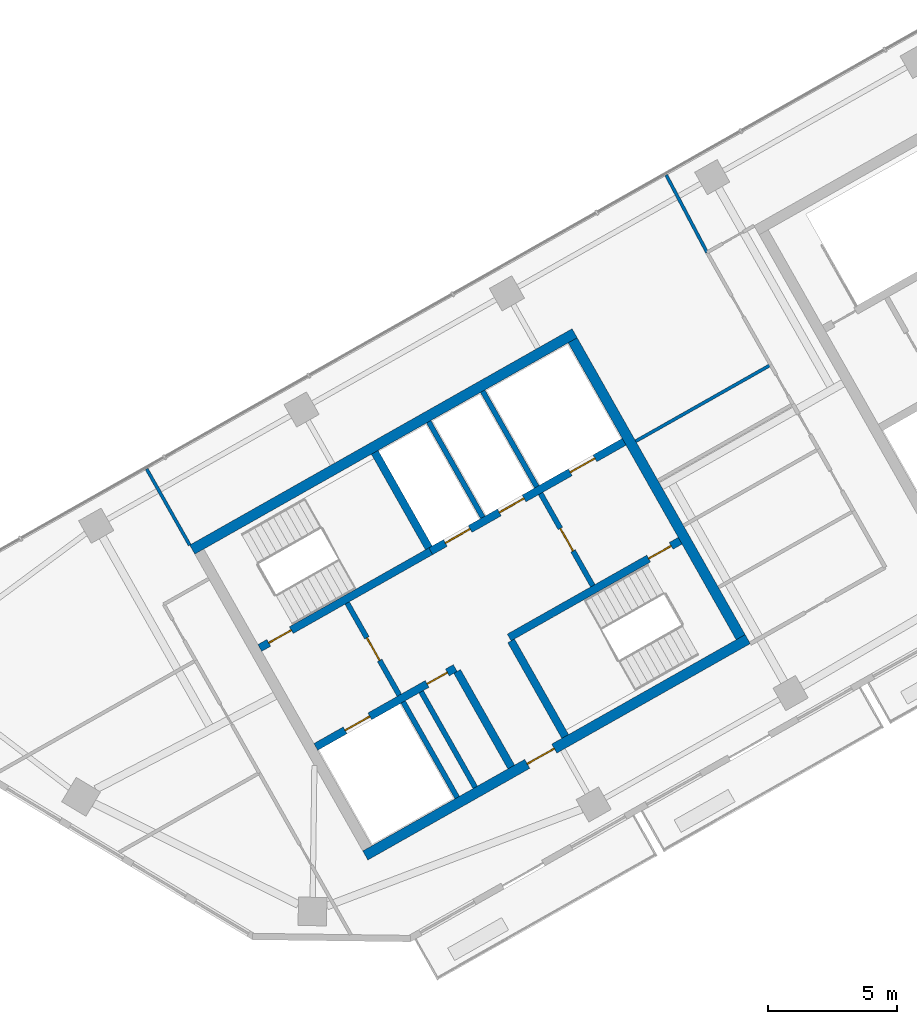
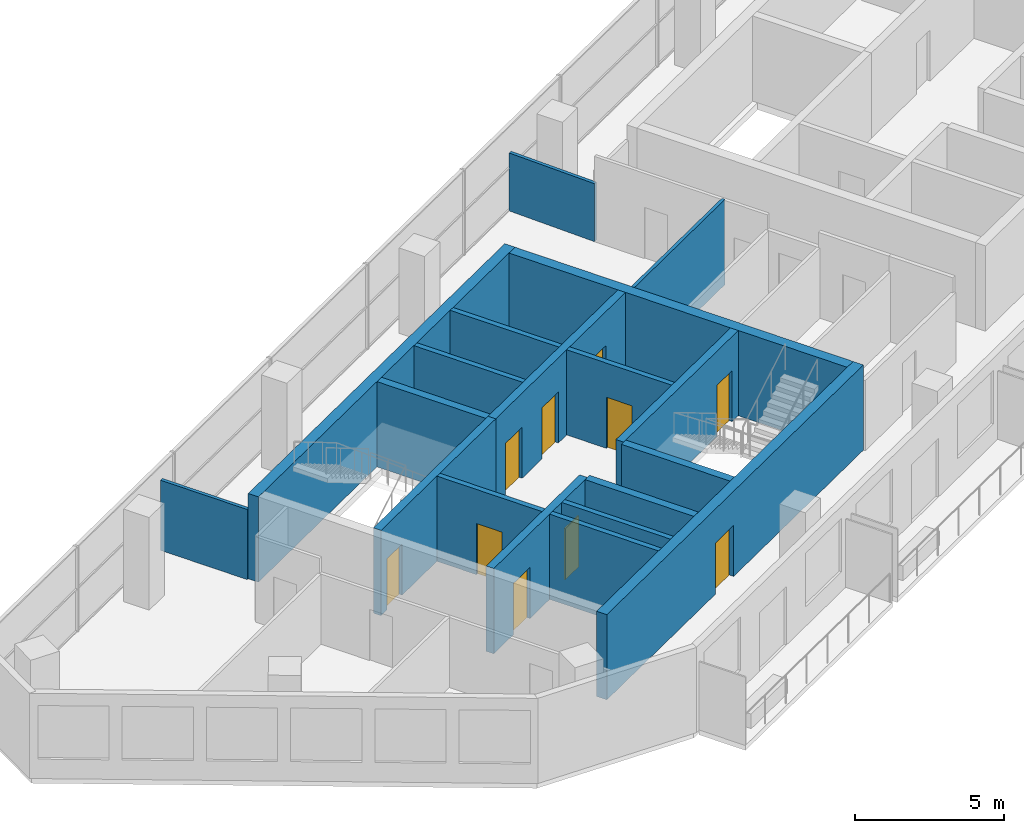
# One storey, part 6 of 10: 19 walls, 10 doors, 10 openings.
"""IFC4 building model written with IfcOpenShell, lengths in metres."""

from ifc_helpers import new_model, si_unit, direction, frame, frame_2d, origin, place, context, subcontext, project, spatial, rectangle, extrude, material, layer, layer_set, type_object, element, fill, save


model = new_model("IFC4")

# Units and contexts
model_context = context("Model", 3, precision=1e-05, world=origin(), true_north=direction((0.0, 1.0)))
body_context = subcontext(model_context, "Body", "Model", "MODEL_VIEW")
ifc_project = project(units=[si_unit("LENGTHUNIT", "METRE"), si_unit("AREAUNIT", "SQUARE_METRE"), si_unit("VOLUMEUNIT", "CUBIC_METRE"), si_unit("PLANEANGLEUNIT", "RADIAN"), si_unit("MASSUNIT", "GRAM", prefix="KILO")], contexts=[model_context])

# Site, building, storey
site_placement = place(None, origin())
site = spatial("IfcSite", under=ifc_project, at=site_placement, CompositionType="ELEMENT")
building_placement = place(site_placement, origin())
building = spatial("IfcBuilding", under=site, at=building_placement, Name="Binnacle Exchange Tower", CompositionType="ELEMENT")
storey_placement = place(building_placement, frame((0.0, 0.0, 343.10009765625)))
storey = spatial("IfcBuildingStorey", under=building, at=storey_placement, Name="L78", CompositionType="ELEMENT", Elevation=343.10009765625)

# Wall, openings, doors
ifc_material_1 = material(Name="Concrete C70/85", Category="concrete")
ifc_layer_1 = layer(ifc_material_1, 0.300048828125)
ifc_layer_set_1 = layer_set([ifc_layer_1], Name="Core wall - front 300")
wall_type_1 = type_object("IfcWallType", Name="Core wall - front 300", PredefinedType="SOLIDWALL", material=ifc_layer_set_1)
wall_1_placement = place(storey_placement, frame((-41.72998046875, 33.862548828125, 0.0), z_axis=(0.0, 0.0, 1.0), x_axis=(0.870350800578, 0.492432212525, 0.0)))
wall_1 = element("IfcWall", 1, at=wall_1_placement, inside=storey, type_object=wall_type_1, Name="Core wall CRWA2", PredefinedType="SOLIDWALL", context=body_context, shape_type="SweptSolid", body=[
    extrude(rectangle(XDim=6.19970703125, YDim=0.300048828125, at=frame_2d((3.099853515625, 0.0))), origin(), (0.0, 0.0, 1.0), 3.5),
])
opening_1_placement = place(wall_1_placement, frame((1.300048828125, 0.0, 0.0)))
opening_1 = element("IfcOpeningElement", 2, at=opening_1_placement, cuts=wall_1, Name="Opening LD12", PredefinedType="OPENING", context=body_context, shape_type="SweptSolid", body=[
    extrude(rectangle(XDim=1.10009765625, YDim=2.10009765625, at=frame_2d((0.550048828125, 1.050048828125))), frame((0.0, 0.159912109375, 0.0), z_axis=(0.0, -1.0, 0.0), x_axis=(1.0, 0.0, 0.0)), (0.0, 0.0, 1.0), 0.320068359375),
])
opening_2_placement = place(wall_1_placement, frame((4.949951171875, 0.0, 0.0)))
opening_2 = element("IfcOpeningElement", 3, at=opening_2_placement, cuts=wall_1, Name="Opening DA14", PredefinedType="OPENING", context=body_context, shape_type="SweptSolid", body=[
    extrude(rectangle(XDim=0.89990234375, YDim=2.10009765625, at=frame_2d((0.449951171875, 1.050048828125))), frame((0.0, 0.159912109375, 0.0), z_axis=(0.0, -1.0, 0.0), x_axis=(1.0, 0.0, 0.0)), (0.0, 0.0, 1.0), 0.320068359375),
])
ifc_material_2 = material(Name="Steel door leaf", Category="steel")
door_type_1 = type_object("IfcDoorType", Name="Fire door - lift landing 1100", OperationType="NOTDEFINED", PredefinedType="DOOR", material=ifc_material_2)
door_1_placement = place(opening_1_placement, origin())
door_1 = element("IfcDoor", 4, at=door_1_placement, inside=storey, type_object=door_type_1, Name="Landing door LD12 L78", OperationType="DOUBLE_DOOR_SLIDING", OverallHeight=2.10009765625, OverallWidth=1.10009765625, PredefinedType="DOOR", context=body_context, shape_type="SweptSolid", body=[
    extrude(rectangle(XDim=1.10009765625, YDim=2.10009765625, at=frame_2d((0.550048828125, 1.050048828125))), frame((0.0, 0.02490234375, 0.0), z_axis=(0.0, -1.0, 0.0), x_axis=(1.0, 0.0, 0.0)), (0.0, 0.0, 1.0), 0.050048828125),
])
fill(opening_1, door_1)
door_type_2 = type_object("IfcDoorType", Name="Fire door 900", OperationType="NOTDEFINED", PredefinedType="DOOR", material=ifc_material_2)
door_2_placement = place(opening_2_placement, frame((0.89990234375, 0.0, 0.0), z_axis=(0.0, 0.0, 1.0), x_axis=(-1.0, 0.0, 0.0)))
door_2 = element("IfcDoor", 5, at=door_2_placement, inside=storey, type_object=door_type_2, Name="Core room door CLEANERS STORE", OperationType="SINGLE_SWING_LEFT", OverallHeight=2.10009765625, OverallWidth=0.89990234375, PredefinedType="DOOR", context=body_context, shape_type="SweptSolid", body=[
    extrude(rectangle(XDim=0.89990234375, YDim=2.10009765625, at=frame_2d((0.449951171875, 1.050048828125))), frame((0.0, 0.02490234375, 0.0), z_axis=(0.0, -1.0, 0.0), x_axis=(1.0, 0.0, 0.0)), (0.0, 0.0, 1.0), 0.050048828125),
])
fill(opening_2, door_2)

wall_2_placement = place(storey_placement, frame((-37.281982421875, 41.4345703125, 0.0), z_axis=(0.0, 0.0, 1.0), x_axis=(0.870361315115, 0.492413628113, 0.0)))
wall_2 = element("IfcWall", 6, at=wall_2_placement, inside=storey, type_object=wall_type_1, Name="Core wall CRWA5", PredefinedType="SOLIDWALL", context=body_context, shape_type="SweptSolid", body=[
    extrude(rectangle(XDim=8.599609375, YDim=0.300048828125, at=frame_2d((4.2998046875, 0.0))), origin(), (0.0, 0.0, 1.0), 3.5),
])
opening_3_placement = place(wall_2_placement, frame((0.650146484375, 0.0, 0.0)))
opening_3 = element("IfcOpeningElement", 7, at=opening_3_placement, cuts=wall_2, Name="Opening LD9", PredefinedType="OPENING", context=body_context, shape_type="SweptSolid", body=[
    extrude(rectangle(XDim=1.10009765625, YDim=2.10009765625, at=frame_2d((0.550048828125, 1.050048828125))), frame((0.0, 0.159912109375, 0.0), z_axis=(0.0, -1.0, 0.0), x_axis=(1.0, 0.0, 0.0)), (0.0, 0.0, 1.0), 0.320068359375),
])
opening_4_placement = place(wall_2_placement, frame((3.050048828125, 0.0, 0.0)))
opening_4 = element("IfcOpeningElement", 8, at=opening_4_placement, cuts=wall_2, Name="Opening LD10", PredefinedType="OPENING", context=body_context, shape_type="SweptSolid", body=[
    extrude(rectangle(XDim=1.10009765625, YDim=2.10009765625, at=frame_2d((0.550048828125, 1.050048828125))), frame((0.0, 0.159912109375, 0.0), z_axis=(0.0, -1.0, 0.0), x_axis=(1.0, 0.0, 0.0)), (0.0, 0.0, 1.0), 0.320068359375),
])
opening_5_placement = place(wall_2_placement, frame((6.199951171875, 0.0, 0.0)))
opening_5 = element("IfcOpeningElement", 9, at=opening_5_placement, cuts=wall_2, Name="Opening LD13", PredefinedType="OPENING", context=body_context, shape_type="SweptSolid", body=[
    extrude(rectangle(XDim=1.10009765625, YDim=2.10009765625, at=frame_2d((0.550048828125, 1.050048828125))), frame((0.0, 0.159912109375, 0.0), z_axis=(0.0, -1.0, 0.0), x_axis=(1.0, 0.0, 0.0)), (0.0, 0.0, 1.0), 0.320068359375),
])
door_3_placement = place(opening_3_placement, origin())
door_3 = element("IfcDoor", 10, at=door_3_placement, inside=storey, type_object=door_type_1, Name="Landing door LD9 L78", OperationType="DOUBLE_DOOR_SLIDING", OverallHeight=2.10009765625, OverallWidth=1.10009765625, PredefinedType="DOOR", context=body_context, shape_type="SweptSolid", body=[
    extrude(rectangle(XDim=1.10009765625, YDim=2.10009765625, at=frame_2d((0.550048828125, 1.050048828125))), frame((0.0, 0.02490234375, 0.0), z_axis=(0.0, -1.0, 0.0), x_axis=(1.0, 0.0, 0.0)), (0.0, 0.0, 1.0), 0.050048828125),
])
fill(opening_3, door_3)
door_4_placement = place(opening_4_placement, origin())
door_4 = element("IfcDoor", 11, at=door_4_placement, inside=storey, type_object=door_type_1, Name="Landing door LD10 L78", OperationType="DOUBLE_DOOR_SLIDING", OverallHeight=2.10009765625, OverallWidth=1.10009765625, PredefinedType="DOOR", context=body_context, shape_type="SweptSolid", body=[
    extrude(rectangle(XDim=1.10009765625, YDim=2.10009765625, at=frame_2d((0.550048828125, 1.050048828125))), frame((0.0, 0.02490234375, 0.0), z_axis=(0.0, -1.0, 0.0), x_axis=(1.0, 0.0, 0.0)), (0.0, 0.0, 1.0), 0.050048828125),
])
fill(opening_4, door_4)
door_5_placement = place(opening_5_placement, origin())
door_5 = element("IfcDoor", 12, at=door_5_placement, inside=storey, type_object=door_type_1, Name="Landing door LD13 L78", OperationType="DOUBLE_DOOR_SLIDING", OverallHeight=2.10009765625, OverallWidth=1.10009765625, PredefinedType="DOOR", context=body_context, shape_type="SweptSolid", body=[
    extrude(rectangle(XDim=1.10009765625, YDim=2.10009765625, at=frame_2d((0.550048828125, 1.050048828125))), frame((0.0, 0.02490234375, 0.0), z_axis=(0.0, -1.0, 0.0), x_axis=(1.0, 0.0, 0.0)), (0.0, 0.0, 1.0), 0.050048828125),
])
fill(opening_5, door_5)

# Wall
wall_3_placement = place(storey_placement, frame((-36.260009765625, 36.784912109375, 0.0), z_axis=(0.0, 0.0, 1.0), x_axis=(0.492422543467, -0.870356271124, 0.0)))
element("IfcWall", 13, at=wall_3_placement, inside=storey, type_object=wall_type_1, Name="Core wall CRWA13", PredefinedType="SOLIDWALL", context=body_context, shape_type="SweptSolid", body=[
    extrude(rectangle(XDim=4.25, YDim=0.300048828125, at=frame_2d((2.125, 0.0))), origin(), (0.0, 0.0, 1.0), 3.5),
])

# Wall, opening, door
ifc_layer_2 = layer(ifc_material_1, 0.39990234375)
ifc_layer_set_2 = layer_set([ifc_layer_2], Name="Core wall - outer 400")
wall_type_2 = type_object("IfcWallType", Name="Core wall - outer 400", PredefinedType="SOLIDWALL", material=ifc_layer_set_2)
wall_4_placement = place(storey_placement, frame((-39.81298828125, 29.661865234375, 0.0), z_axis=(0.0, 0.0, 1.0), x_axis=(0.870350116061, 0.492433422375, 0.0)))
wall_4 = element("IfcWall", 14, at=wall_4_placement, inside=storey, type_object=wall_type_2, Name="Core wall CRWA1", PredefinedType="SOLIDWALL", context=body_context, shape_type="SweptSolid", body=[
    extrude(rectangle(XDim=17.0, YDim=0.39990234375, at=frame_2d((8.5, 0.0))), origin(), (0.0, 0.0, 1.0), 3.5),
])
opening_6_placement = place(wall_4_placement, frame((7.199951171875, 0.0, 0.0)))
opening_6 = element("IfcOpeningElement", 15, at=opening_6_placement, cuts=wall_4, Name="Opening DA7", PredefinedType="OPENING", context=body_context, shape_type="SweptSolid", body=[
    extrude(rectangle(XDim=1.199951171875, YDim=2.10009765625, at=frame_2d((0.60009765625, 1.050048828125))), frame((0.0, 0.2099609375, 0.0), z_axis=(0.0, -1.0, 0.0), x_axis=(1.0, 0.0, 0.0)), (0.0, 0.0, 1.0), 0.419921875),
])
door_type_3 = type_object("IfcDoorType", Name="Fire door 1200", OperationType="NOTDEFINED", PredefinedType="DOOR", material=ifc_material_2)
door_6_placement = place(opening_6_placement, frame((1.199951171875, 0.0, 0.0), z_axis=(0.0, 0.0, 1.0), x_axis=(-1.0, 0.0, 0.0)))
door_6 = element("IfcDoor", 16, at=door_6_placement, inside=storey, type_object=door_type_3, Name="Lift lobby entrance door core A", OperationType="SINGLE_SWING_RIGHT", OverallHeight=2.10009765625, OverallWidth=1.199951171875, PredefinedType="DOOR", context=body_context, shape_type="SweptSolid", body=[
    extrude(rectangle(XDim=1.199951171875, YDim=2.10009765625, at=frame_2d((0.60009765625, 1.050048828125))), frame((0.0, 0.02490234375, 0.0), z_axis=(0.0, -1.0, 0.0), x_axis=(1.0, 0.0, 0.0)), (0.0, 0.0, 1.0), 0.050048828125),
])
fill(opening_6, door_6)

# Walls
wall_5_placement = place(storey_placement, frame((-46.510009765625, 41.498779296875, 0.0), z_axis=(0.0, 0.0, 1.0), x_axis=(0.870356271124, 0.492422543467, 0.0)))
element("IfcWall", 17, at=wall_5_placement, inside=storey, type_object=wall_type_2, Name="Core wall CRWA6", PredefinedType="SOLIDWALL", context=body_context, shape_type="SweptSolid", body=[
    extrude(rectangle(XDim=16.999755859375, YDim=0.39990234375, at=frame_2d((8.5, 0.0))), origin(), (0.0, 0.0, 1.0), 3.5),
])
wall_6_placement = place(storey_placement, frame((-31.78955078125, 49.597412109375, 0.0), z_axis=(0.0, 0.0, 1.0), x_axis=(0.492421663121, -0.870356769198, 0.0)))
element("IfcWall", 18, at=wall_6_placement, inside=storey, type_object=wall_type_2, Name="Core wall CRWA22", PredefinedType="SOLIDWALL", context=body_context, shape_type="SweptSolid", body=[
    extrude(rectangle(XDim=13.199951171875, YDim=0.39990234375, at=frame_2d((6.60009765625, 0.0))), origin(), (0.0, 0.0, 1.0), 3.5),
])

# Wall, opening, door
ifc_layer_3 = layer(ifc_material_1, 0.300048828125)
ifc_layer_set_3 = layer_set([ifc_layer_3], Name="Core wall - stair 300")
wall_type_3 = type_object("IfcWallType", Name="Core wall - stair 300", PredefinedType="SOLIDWALL", material=ifc_layer_set_3)
wall_7_placement = place(storey_placement, frame((-34.2451171875, 38.097412109375, 0.0), z_axis=(0.0, 0.0, 1.0), x_axis=(0.870356351998, 0.492422400523, 0.0)))
wall_7 = element("IfcWall", 19, at=wall_7_placement, inside=storey, type_object=wall_type_3, Name="Core wall CRWA3", PredefinedType="SOLIDWALL", context=body_context, shape_type="SweptSolid", body=[
    extrude(rectangle(XDim=7.60009765625, YDim=0.300048828125, at=frame_2d((3.800048828125, 0.0))), origin(), (0.0, 0.0, 1.0), 3.5),
])
opening_7_placement = place(wall_7_placement, frame((6.199951171875, 0.0, 0.0)))
opening_7 = element("IfcOpeningElement", 20, at=opening_7_placement, cuts=wall_7, Name="Opening DA2", PredefinedType="OPENING", context=body_context, shape_type="SweptSolid", body=[
    extrude(rectangle(XDim=1.0, YDim=2.10009765625, at=frame_2d((0.5, 1.050048828125))), frame((0.0, 0.159912109375, 0.0), z_axis=(0.0, -1.0, 0.0), x_axis=(1.0, 0.0, 0.0)), (0.0, 0.0, 1.0), 0.320068359375),
])
door_type_4 = type_object("IfcDoorType", Name="Fire door 1000", OperationType="NOTDEFINED", PredefinedType="DOOR", material=ifc_material_2)
door_7_placement = place(opening_7_placement, frame((1.0, 0.0, 0.0), z_axis=(0.0, 0.0, 1.0), x_axis=(-1.0, 0.0, 0.0)))
door_7 = element("IfcDoor", 21, at=door_7_placement, inside=storey, type_object=door_type_4, Name="Stair door ST-A2", OperationType="SINGLE_SWING_LEFT", OverallHeight=2.10009765625, OverallWidth=1.0, PredefinedType="DOOR", context=body_context, shape_type="SweptSolid", body=[
    extrude(rectangle(XDim=1.0, YDim=2.10009765625, at=frame_2d((0.5, 1.050048828125))), frame((0.0, 0.02490234375, 0.0), z_axis=(0.0, -1.0, 0.0), x_axis=(1.0, 0.0, 0.0)), (0.0, 0.0, 1.0), 0.050048828125),
])
fill(opening_7, door_7)

wall_8_placement = place(storey_placement, frame((-43.896728515625, 37.692138671875, 0.0), z_axis=(0.0, 0.0, 1.0), x_axis=(0.870356351998, 0.492422400523, 0.0)))
wall_8 = element("IfcWall", 22, at=wall_8_placement, inside=storey, type_object=wall_type_3, Name="Core wall CRWA4", PredefinedType="SOLIDWALL", context=body_context, shape_type="SweptSolid", body=[
    extrude(rectangle(XDim=7.60009765625, YDim=0.300048828125, at=frame_2d((3.800048828125, 0.0))), origin(), (0.0, 0.0, 1.0), 3.5),
])
opening_8_placement = place(wall_8_placement, frame((0.39990234375, 0.0, 0.0)))
opening_8 = element("IfcOpeningElement", 23, at=opening_8_placement, cuts=wall_8, Name="Opening DA1", PredefinedType="OPENING", context=body_context, shape_type="SweptSolid", body=[
    extrude(rectangle(XDim=1.0, YDim=2.10009765625, at=frame_2d((0.5, 1.050048828125))), frame((0.0, 0.159912109375, 0.0), z_axis=(0.0, -1.0, 0.0), x_axis=(1.0, 0.0, 0.0)), (0.0, 0.0, 1.0), 0.320068359375),
])
door_8_placement = place(opening_8_placement, origin())
door_8 = element("IfcDoor", 24, at=door_8_placement, inside=storey, type_object=door_type_4, Name="Stair door ST-A1", OperationType="SINGLE_SWING_LEFT", OverallHeight=2.10009765625, OverallWidth=1.0, PredefinedType="DOOR", context=body_context, shape_type="SweptSolid", body=[
    extrude(rectangle(XDim=1.0, YDim=2.10009765625, at=frame_2d((0.5, 1.050048828125))), frame((0.0, 0.02490234375, 0.0), z_axis=(0.0, -1.0, 0.0), x_axis=(1.0, 0.0, 0.0)), (0.0, 0.0, 1.0), 0.050048828125),
])
fill(opening_8, door_8)

# Walls
for number, where, z_axis, x_axis, name in (
    (25, (-39.44873046875, 45.263916015625, 0.0), (0.0, 0.0, 1.0), (0.492422543467, -0.870356271124, 0.0), "Core wall CRWA14"),
    (26, (-34.171142578125, 37.966796875, 0.0), (0.0, 0.0, 1.0), (0.492422543467, -0.870356271124, 0.0), "Core wall CRWA16"),
):
    element("IfcWall", number, at=place(storey_placement, frame(where, z_axis=z_axis, x_axis=x_axis)), inside=storey, type_object=wall_type_3, Name=name, PredefinedType="SOLIDWALL", context=body_context, shape_type="SweptSolid", body=[
        extrude(rectangle(XDim=4.25, YDim=0.300048828125, at=frame_2d((2.125, 0.0))), origin(), (0.0, 0.0, 1.0), 3.5),
    ])

# Wall, opening, door
ifc_material_3 = material(Name="Masonry block wall", Category="masonry")
ifc_layer_4 = layer(ifc_material_3, 0.199951171875)
ifc_layer_set_4 = layer_set([ifc_layer_4], Name="Fire wall - vestibule 200")
wall_type_4 = type_object("IfcWallType", Name="Fire wall - vestibule 200", PredefinedType="PARTITIONING", material=ifc_layer_set_4)
wall_9_placement = place(storey_placement, frame((-40.515625, 39.4326171875, 0.0), z_axis=(0.0, 0.0, 1.0), x_axis=(0.492453559952, -0.87033872216, 0.0)))
wall_9 = element("IfcWall", 27, at=wall_9_placement, inside=storey, type_object=wall_type_4, Name="Core wall CRWA10", PredefinedType="PARTITIONING", context=body_context, shape_type="SweptSolid", body=[
    extrude(rectangle(XDim=4.099853515625, YDim=0.199951171875, at=frame_2d((2.0498046875, 0.0))), origin(), (0.0, 0.0, 1.0), 3.5),
])
opening_9_placement = place(wall_9_placement, frame((1.550048828125, 0.0, 0.0)))
opening_9 = element("IfcOpeningElement", 28, at=opening_9_placement, cuts=wall_9, Name="Opening DA3", PredefinedType="OPENING", context=body_context, shape_type="SweptSolid", body=[
    extrude(rectangle(XDim=1.0, YDim=2.10009765625, at=frame_2d((0.5, 1.050048828125))), frame((0.0, 0.10986328125, 0.0), z_axis=(0.0, -1.0, 0.0), x_axis=(1.0, 0.0, 0.0)), (0.0, 0.0, 1.0), 0.219970703125),
])
door_9_placement = place(opening_9_placement, frame((1.0, 0.0, 0.0), z_axis=(0.0, 0.0, 1.0), x_axis=(-1.0, 0.0, 0.0)))
door_9 = element("IfcDoor", 29, at=door_9_placement, inside=storey, type_object=door_type_4, Name="Vestibule door VEST-W", OperationType="SINGLE_SWING_LEFT", OverallHeight=2.10009765625, OverallWidth=1.0, PredefinedType="DOOR", context=body_context, shape_type="SweptSolid", body=[
    extrude(rectangle(XDim=1.0, YDim=2.10009765625, at=frame_2d((0.5, 1.050048828125))), frame((0.0, 0.02490234375, 0.0), z_axis=(0.0, -1.0, 0.0), x_axis=(1.0, 0.0, 0.0)), (0.0, 0.0, 1.0), 0.050048828125),
])
fill(opening_9, door_9)

wall_10_placement = place(storey_placement, frame((-33.030517578125, 43.66748046875, 0.0), z_axis=(0.0, 0.0, 1.0), x_axis=(0.492408451753, -0.87036424366, 0.0)))
wall_10 = element("IfcWall", 30, at=wall_10_placement, inside=storey, type_object=wall_type_4, Name="Core wall CRWA19", PredefinedType="PARTITIONING", context=body_context, shape_type="SweptSolid", body=[
    extrude(rectangle(XDim=4.099853515625, YDim=0.199951171875, at=frame_2d((2.0498046875, 0.0))), origin(), (0.0, 0.0, 1.0), 3.5),
])
opening_10_placement = place(wall_10_placement, frame((1.550048828125, 0.0, 0.0)))
opening_10 = element("IfcOpeningElement", 31, at=opening_10_placement, cuts=wall_10, Name="Opening DA4", PredefinedType="OPENING", context=body_context, shape_type="SweptSolid", body=[
    extrude(rectangle(XDim=1.0, YDim=2.10009765625, at=frame_2d((0.5, 1.050048828125))), frame((0.0, 0.10986328125, 0.0), z_axis=(0.0, -1.0, 0.0), x_axis=(1.0, 0.0, 0.0)), (0.0, 0.0, 1.0), 0.219970703125),
])
door_10_placement = place(opening_10_placement, origin())
door_10 = element("IfcDoor", 32, at=door_10_placement, inside=storey, type_object=door_type_4, Name="Vestibule door VEST-E", OperationType="SINGLE_SWING_RIGHT", OverallHeight=2.10009765625, OverallWidth=1.0, PredefinedType="DOOR", context=body_context, shape_type="SweptSolid", body=[
    extrude(rectangle(XDim=1.0, YDim=2.10009765625, at=frame_2d((0.5, 1.050048828125))), frame((0.0, 0.02490234375, 0.0), z_axis=(0.0, -1.0, 0.0), x_axis=(1.0, 0.0, 0.0)), (0.0, 0.0, 1.0), 0.050048828125),
])
fill(opening_10, door_10)

# Walls
ifc_material_4 = material(Name="Gypsum partition")
ifc_layer_5 = layer(ifc_material_4, 0.125)
ifc_layer_set_5 = layer_set([ifc_layer_5], Name="Partition 125")
wall_type_5 = type_object("IfcWallType", Name="Partition 125", PredefinedType="PARTITIONING", material=ifc_layer_set_5)
wall_11_placement = place(storey_placement, frame((-48.27490234375, 44.617919921875, 0.0), z_axis=(0.0, 0.0, 1.0), x_axis=(0.492404360331, -0.870366558369, 0.0)))
element("IfcWall", 33, at=wall_11_placement, inside=storey, type_object=wall_type_5, Name="Partition W03", PredefinedType="PARTITIONING", context=body_context, shape_type="SweptSolid", body=[
    extrude(rectangle(XDim=3.383544921875, YDim=0.125, at=frame_2d((1.69189453125, 0.0))), origin(), (0.0, 0.0, 1.0), 2.8798828125),
])
wall_12_placement = place(storey_placement, frame((-29.35009765625, 45.69189453125, 0.0), z_axis=(0.0, 0.0, 1.0), x_axis=(0.870318719588, 0.492488909859, 0.0)))
element("IfcWall", 34, at=wall_12_placement, inside=storey, type_object=wall_type_5, Name="Partition W08", PredefinedType="PARTITIONING", context=body_context, shape_type="SweptSolid", body=[
    extrude(rectangle(XDim=6.000244140625, YDim=0.125, at=frame_2d((3.0, 0.0))), origin(), (0.0, 0.0, 1.0), 3.5),
])
wall_13_placement = place(storey_placement, frame((-28.1708984375, 55.992919921875, 0.0), z_axis=(0.0, 0.0, 1.0), x_axis=(0.466919980712, -0.884299571193, 0.0)))
element("IfcWall", 35, at=wall_13_placement, inside=storey, type_object=wall_type_5, Name="Partition W10", PredefinedType="PARTITIONING", context=body_context, shape_type="SweptSolid", body=[
    extrude(rectangle(XDim=3.385498046875, YDim=0.125, at=frame_2d((1.69287109375, 0.0))), origin(), (0.0, 0.0, 1.0), 2.3798828125),
])
ifc_layer_6 = layer(ifc_material_3, 0.199951171875)
ifc_layer_set_6 = layer_set([ifc_layer_6], Name="Riser wall 200")
wall_type_6 = type_object("IfcWallType", Name="Riser wall 200", PredefinedType="SOLIDWALL", material=ifc_layer_set_6)
wall_14_placement = place(storey_placement, frame((-38.348876953125, 35.603271484375, 0.0), z_axis=(0.0, 0.0, 1.0), x_axis=(0.492397924348, -0.870370199454, 0.0)))
element("IfcWall", 36, at=wall_14_placement, inside=storey, type_object=wall_type_6, Name="Core wall CRWA8", PredefinedType="SOLIDWALL", context=body_context, shape_type="SweptSolid", body=[
    extrude(rectangle(XDim=4.250244140625, YDim=0.199951171875, at=frame_2d((2.125, 0.0))), origin(), (0.0, 0.0, 1.0), 3.5),
])
wall_15_placement = place(storey_placement, frame((-37.652587890625, 35.9970703125, 0.0), z_axis=(0.0, 0.0, 1.0), x_axis=(0.492422543467, -0.870356271124, 0.0)))
element("IfcWall", 37, at=wall_15_placement, inside=storey, type_object=wall_type_6, Name="Core wall CRWA11", PredefinedType="SOLIDWALL", context=body_context, shape_type="SweptSolid", body=[
    extrude(rectangle(XDim=4.25, YDim=0.199951171875, at=frame_2d((2.125, 0.0))), origin(), (0.0, 0.0, 1.0), 3.5),
])
ifc_layer_7 = layer(ifc_material_3, 0.199951171875)
ifc_layer_set_7 = layer_set([ifc_layer_7], Name="Shaft wall 200")
wall_type_7 = type_object("IfcWallType", Name="Shaft wall 200", PredefinedType="SOLIDWALL", material=ifc_layer_set_7)
for number, where, z_axis, x_axis, name in (
    (38, (-37.35986328125, 46.44580078125, 0.0), (0.0, 0.0, 1.0), (0.492422543467, -0.870356271124, 0.0), "Core wall CRWA17"),
    (39, (-35.27099609375, 47.627685546875, 0.0), (0.0, 0.0, 1.0), (0.492422543467, -0.870356271124, 0.0), "Core wall CRWA21"),
):
    element("IfcWall", number, at=place(storey_placement, frame(where, z_axis=z_axis, x_axis=x_axis)), inside=storey, type_object=wall_type_7, Name=name, PredefinedType="SOLIDWALL", context=body_context, shape_type="SweptSolid", body=[
        extrude(rectangle(XDim=4.25, YDim=0.199951171875, at=frame_2d((2.125, 0.0))), origin(), (0.0, 0.0, 1.0), 3.5),
    ])

save(model, "model.ifc")
